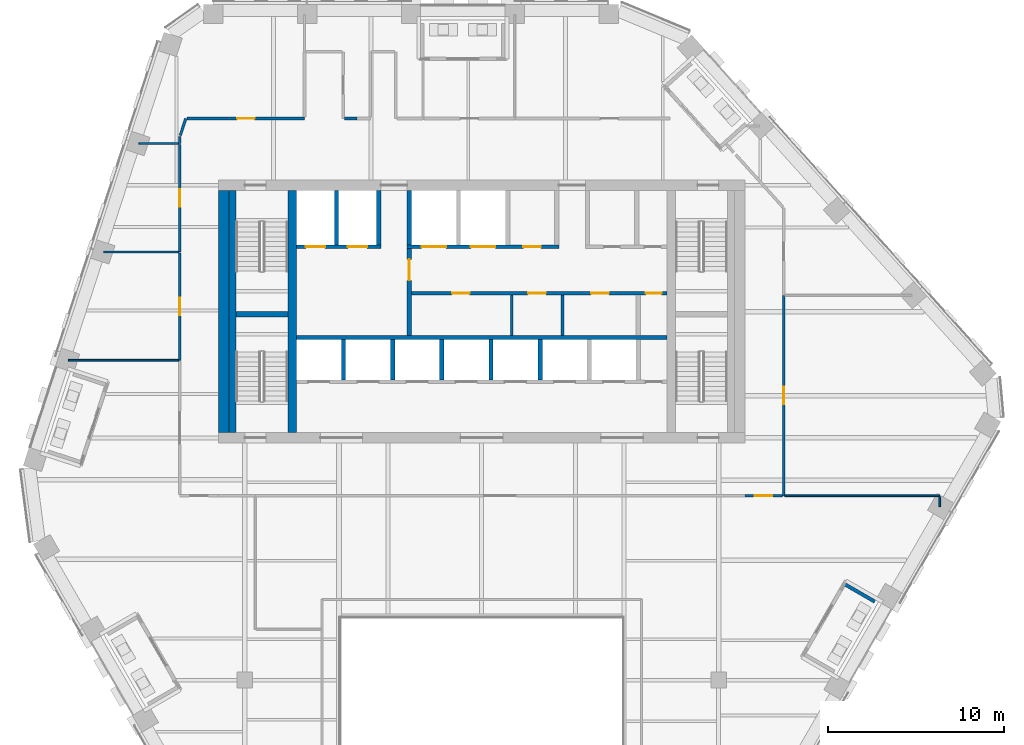
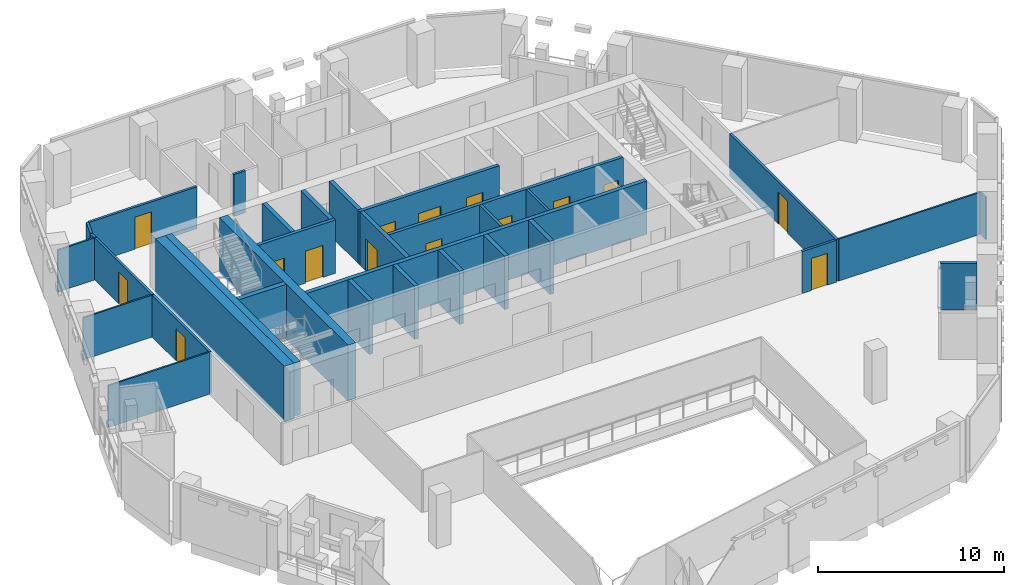
# One storey, part 16 of 24: 33 walls, 15 doors, 15 openings.
"""IFC4 building model written with IfcOpenShell, lengths in metres."""

from ifc_helpers import new_model, si_unit, direction, frame, frame_2d, origin, place, context, subcontext, project, spatial, rectangle, extrude, material, layer, layer_set, type_object, element, fill, save


model = new_model("IFC4")

# Units and contexts
model_context = context("Model", 3, precision=1e-05, world=origin(), true_north=direction((0.0, 1.0)))
body_context = subcontext(model_context, "Body", "Model", "MODEL_VIEW")
ifc_project = project(units=[si_unit("LENGTHUNIT", "METRE"), si_unit("AREAUNIT", "SQUARE_METRE"), si_unit("VOLUMEUNIT", "CUBIC_METRE"), si_unit("PLANEANGLEUNIT", "RADIAN"), si_unit("MASSUNIT", "GRAM", prefix="KILO")], contexts=[model_context])

# Site, building, storey
site_placement = place(None, origin())
site = spatial("IfcSite", under=ifc_project, at=site_placement, CompositionType="ELEMENT")
building_placement = place(site_placement, origin())
building = spatial("IfcBuilding", under=site, at=building_placement, Name="Isthmus Gate Tower", CompositionType="ELEMENT")
storey_placement = place(building_placement, frame((0.0, 0.0, 234.550048828125)))
storey = spatial("IfcBuildingStorey", under=building, at=storey_placement, Name="L59", CompositionType="ELEMENT", Elevation=234.550048828125)

# Wall, opening, door
ifc_material_1 = material(Name="Gypsum board on steel studs, fire-rated", Category="steel")
ifc_layer_1 = layer(ifc_material_1, 0.14990234375)
ifc_layer_set_1 = layer_set([ifc_layer_1], Name="CORRIDOR WALL 150 60 MIN")
wall_type_1 = type_object("IfcWallType", Name="CORRIDOR WALL 150 60 MIN", PredefinedType="PARTITIONING", material=ifc_layer_set_1)
wall_1_placement = place(storey_placement, frame((17.199951171875, 8.427978515625, 0.0), z_axis=(0.0, 0.0, 1.0), x_axis=(0.0, -1.0, 0.0)))
wall_1 = element("IfcWall", 1, at=wall_1_placement, inside=storey, type_object=wall_type_1, Name="L59 Corridor Wall 150 60 Min", PredefinedType="PARTITIONING", context=body_context, shape_type="SweptSolid", body=[
    extrude(rectangle(XDim=11.427978515625, YDim=0.14990234375, at=frame_2d((5.7138671875, 0.0))), origin(), (0.0, 0.0, 1.0), 2.750732421875),
])
opening_1_placement = place(wall_1_placement, frame((5.214111328125, 0.0, 0.0)))
opening_1 = element("IfcOpeningElement", 2, at=opening_1_placement, cuts=wall_1, Name="Opening DT-T5B-08", PredefinedType="OPENING", context=body_context, shape_type="SweptSolid", body=[
    extrude(rectangle(XDim=1.0, YDim=2.10009765625, at=frame_2d((0.5, 1.050048828125))), frame((0.0, 0.0849609375, 0.0), z_axis=(0.0, -1.0, 0.0), x_axis=(1.0, 0.0, 0.0)), (0.0, 0.0, 1.0), 0.169921875),
])
ifc_material_2 = material(Name="Solid core timber door leaf, fire-rated", Category="wood")
door_type_1 = type_object("IfcDoorType", Name="FIRE DOOR ROOM 1000 X 2100 60 MIN", OperationType="SINGLE_SWING_LEFT", PredefinedType="DOOR", material=ifc_material_2)
door_1_placement = place(opening_1_placement, origin())
door_1 = element("IfcDoor", 3, at=door_1_placement, inside=storey, type_object=door_type_1, Name="L59 room door", OperationType="SINGLE_SWING_RIGHT", OverallHeight=2.10009765625, OverallWidth=1.0, PredefinedType="DOOR", context=body_context, shape_type="SweptSolid", body=[
    extrude(rectangle(XDim=1.0, YDim=2.10009765625, at=frame_2d((0.5, 1.050048828125))), frame((0.0, 0.02490234375, 0.0), z_axis=(0.0, -1.0, 0.0), x_axis=(1.0, 0.0, 0.0)), (0.0, 0.0, 1.0), 0.050048828125),
])
fill(opening_1, door_1)

wall_2_placement = place(storey_placement, frame((17.125, -3.0, 0.0), z_axis=(0.0, 0.0, 1.0), x_axis=(-1.0, 0.0, 0.0)))
wall_2 = element("IfcWall", 4, at=wall_2_placement, inside=storey, type_object=wall_type_1, Name="L59 Corridor Wall 150 60 Min", PredefinedType="PARTITIONING", context=body_context, shape_type="SweptSolid", body=[
    extrude(rectangle(XDim=2.125, YDim=0.14990234375, at=frame_2d((1.0625, 0.0))), origin(), (0.0, 0.0, 1.0), 2.750732421875),
])
opening_2_placement = place(wall_2_placement, frame((0.5625, 0.0, 0.0)))
opening_2 = element("IfcOpeningElement", 5, at=opening_2_placement, cuts=wall_2, Name="Opening DT-T5B-12", PredefinedType="OPENING", context=body_context, shape_type="SweptSolid", body=[
    extrude(rectangle(XDim=1.0, YDim=2.10009765625, at=frame_2d((0.5, 1.050048828125))), frame((0.0, 0.0849609375, 0.0), z_axis=(0.0, -1.0, 0.0), x_axis=(1.0, 0.0, 0.0)), (0.0, 0.0, 1.0), 0.169921875),
])
door_2_placement = place(opening_2_placement, origin())
door_2 = element("IfcDoor", 6, at=door_2_placement, inside=storey, type_object=door_type_1, Name="L59 room door", OperationType="SINGLE_SWING_RIGHT", OverallHeight=2.10009765625, OverallWidth=1.0, PredefinedType="DOOR", context=body_context, shape_type="SweptSolid", body=[
    extrude(rectangle(XDim=1.0, YDim=2.10009765625, at=frame_2d((0.5, 1.050048828125))), frame((0.0, 0.02490234375, 0.0), z_axis=(0.0, -1.0, 0.0), x_axis=(1.0, 0.0, 0.0)), (0.0, 0.0, 1.0), 0.050048828125),
])
fill(opening_2, door_2)

# Walls
wall_3_placement = place(storey_placement, frame((-17.199951171875, 17.071044921875, 0.0), z_axis=(0.0, 0.0, 1.0), x_axis=(0.0, 1.0, 0.0)))
element("IfcWall", 7, at=wall_3_placement, inside=storey, type_object=wall_type_1, Name="L59 Corridor Wall 150 60 Min", PredefinedType="PARTITIONING", context=body_context, shape_type="SweptSolid", body=[
    extrude(rectangle(XDim=0.388916015625, YDim=0.14990234375, at=frame_2d((0.1943359375, 0.0))), origin(), (0.0, 0.0, 1.0), 2.750732421875),
])
wall_4_placement = place(storey_placement, frame((-17.1767578125, 17.53125, 0.0), z_axis=(0.0, 0.0, 1.0), x_axis=(0.30895599646, 0.951076333556, 0.0)))
element("IfcWall", 8, at=wall_4_placement, inside=storey, type_object=wall_type_1, Name="L59 Corridor Wall 150 60 Min", PredefinedType="PARTITIONING", context=body_context, shape_type="SweptSolid", body=[
    extrude(rectangle(XDim=1.0185546875, YDim=0.14990234375, at=frame_2d((0.50927734375, 0.0))), origin(), (0.0, 0.0, 1.0), 2.750732421875),
])

# Wall, opening, door
wall_5_placement = place(storey_placement, frame((-16.787109375, 18.5, 0.0), z_axis=(0.0, 0.0, 1.0), x_axis=(1.0, 0.0, 0.0)))
wall_5 = element("IfcWall", 9, at=wall_5_placement, inside=storey, type_object=wall_type_1, Name="L59 Corridor Wall 150 60 Min", PredefinedType="PARTITIONING", context=body_context, shape_type="SweptSolid", body=[
    extrude(rectangle(XDim=6.68701171875, YDim=0.14990234375, at=frame_2d((3.343505859375, 0.0))), origin(), (0.0, 0.0, 1.0), 2.750732421875),
])
opening_3_placement = place(wall_5_placement, frame((2.843505859375, 0.0, 0.0)))
opening_3 = element("IfcOpeningElement", 10, at=opening_3_placement, cuts=wall_5, Name="Opening DT-T5B-01", PredefinedType="OPENING", context=body_context, shape_type="SweptSolid", body=[
    extrude(rectangle(XDim=1.0, YDim=2.10009765625, at=frame_2d((0.5, 1.050048828125))), frame((0.0, 0.0849609375, 0.0), z_axis=(0.0, -1.0, 0.0), x_axis=(1.0, 0.0, 0.0)), (0.0, 0.0, 1.0), 0.169921875),
])
door_3_placement = place(opening_3_placement, origin())
door_3 = element("IfcDoor", 11, at=door_3_placement, inside=storey, type_object=door_type_1, Name="L59 room door", OperationType="SINGLE_SWING_RIGHT", OverallHeight=2.10009765625, OverallWidth=1.0, PredefinedType="DOOR", context=body_context, shape_type="SweptSolid", body=[
    extrude(rectangle(XDim=1.0, YDim=2.10009765625, at=frame_2d((0.5, 1.050048828125))), frame((0.0, 0.02490234375, 0.0), z_axis=(0.0, -1.0, 0.0), x_axis=(1.0, 0.0, 0.0)), (0.0, 0.0, 1.0), 0.050048828125),
])
fill(opening_3, door_3)

# Wall
wall_6_placement = place(storey_placement, frame((-7.824951171875, 18.5, 0.0), z_axis=(0.0, 0.0, 1.0), x_axis=(1.0, 0.0, 0.0)))
element("IfcWall", 12, at=wall_6_placement, inside=storey, type_object=wall_type_1, Name="L59 Corridor Wall 150 60 Min", PredefinedType="PARTITIONING", context=body_context, shape_type="SweptSolid", body=[
    extrude(rectangle(XDim=0.722900390625, YDim=0.14990234375, at=frame_2d((0.361328125, 0.0))), origin(), (0.0, 0.0, 1.0), 2.750732421875),
])

# Wall, opening, door
wall_7_placement = place(storey_placement, frame((-17.199951171875, 10.89697265625, 0.0), z_axis=(0.0, 0.0, 1.0), x_axis=(0.0, 1.0, 0.0)))
wall_7 = element("IfcWall", 13, at=wall_7_placement, inside=storey, type_object=wall_type_1, Name="L59 Corridor Wall 150 60 Min", PredefinedType="PARTITIONING", context=body_context, shape_type="SweptSolid", body=[
    extrude(rectangle(XDim=6.1240234375, YDim=0.14990234375, at=frame_2d((3.06201171875, 0.0))), origin(), (0.0, 0.0, 1.0), 2.750732421875),
])
opening_4_placement = place(wall_7_placement, frame((2.56201171875, 0.0, 0.0)))
opening_4 = element("IfcOpeningElement", 14, at=opening_4_placement, cuts=wall_7, Name="Opening DT-T5B-05", PredefinedType="OPENING", context=body_context, shape_type="SweptSolid", body=[
    extrude(rectangle(XDim=1.0, YDim=2.10009765625, at=frame_2d((0.5, 1.050048828125))), frame((0.0, 0.0849609375, 0.0), z_axis=(0.0, -1.0, 0.0), x_axis=(1.0, 0.0, 0.0)), (0.0, 0.0, 1.0), 0.169921875),
])
door_4_placement = place(opening_4_placement, origin())
door_4 = element("IfcDoor", 15, at=door_4_placement, inside=storey, type_object=door_type_1, Name="L59 room door", OperationType="SINGLE_SWING_RIGHT", OverallHeight=2.10009765625, OverallWidth=1.0, PredefinedType="DOOR", context=body_context, shape_type="SweptSolid", body=[
    extrude(rectangle(XDim=1.0, YDim=2.10009765625, at=frame_2d((0.5, 1.050048828125))), frame((0.0, 0.02490234375, 0.0), z_axis=(0.0, -1.0, 0.0), x_axis=(1.0, 0.0, 0.0)), (0.0, 0.0, 1.0), 0.050048828125),
])
fill(opening_4, door_4)

wall_8_placement = place(storey_placement, frame((-17.199951171875, 4.722900390625, 0.0), z_axis=(0.0, 0.0, 1.0), x_axis=(0.0, 1.0, 0.0)))
wall_8 = element("IfcWall", 16, at=wall_8_placement, inside=storey, type_object=wall_type_1, Name="L59 Corridor Wall 150 60 Min", PredefinedType="PARTITIONING", context=body_context, shape_type="SweptSolid", body=[
    extrude(rectangle(XDim=6.1240234375, YDim=0.14990234375, at=frame_2d((3.06201171875, 0.0))), origin(), (0.0, 0.0, 1.0), 2.750732421875),
])
opening_5_placement = place(wall_8_placement, frame((2.56201171875, 0.0, 0.0)))
opening_5 = element("IfcOpeningElement", 17, at=opening_5_placement, cuts=wall_8, Name="Opening DT-T5B-07", PredefinedType="OPENING", context=body_context, shape_type="SweptSolid", body=[
    extrude(rectangle(XDim=1.0, YDim=2.10009765625, at=frame_2d((0.5, 1.050048828125))), frame((0.0, 0.0849609375, 0.0), z_axis=(0.0, -1.0, 0.0), x_axis=(1.0, 0.0, 0.0)), (0.0, 0.0, 1.0), 0.169921875),
])
door_5_placement = place(opening_5_placement, origin())
door_5 = element("IfcDoor", 18, at=door_5_placement, inside=storey, type_object=door_type_1, Name="L59 room door", OperationType="SINGLE_SWING_RIGHT", OverallHeight=2.10009765625, OverallWidth=1.0, PredefinedType="DOOR", context=body_context, shape_type="SweptSolid", body=[
    extrude(rectangle(XDim=1.0, YDim=2.10009765625, at=frame_2d((0.5, 1.050048828125))), frame((0.0, 0.02490234375, 0.0), z_axis=(0.0, -1.0, 0.0), x_axis=(1.0, 0.0, 0.0)), (0.0, 0.0, 1.0), 0.050048828125),
])
fill(opening_5, door_5)

ifc_material_3 = material(Name="Fire-rated blockwork masonry, 15 MPa", Category="masonry")
ifc_layer_2 = layer(ifc_material_3, 0.25)
ifc_layer_set_2 = layer_set([ifc_layer_2], Name="FIRE-FIGHTING LOBBY WALL 250 90 MIN")
wall_type_2 = type_object("IfcWallType", Name="FIRE-FIGHTING LOBBY WALL 250 90 MIN", PredefinedType="PARTITIONING", material=ifc_layer_set_2)
wall_9_placement = place(storey_placement, frame((-4.125, 6.14990234375, 0.0), z_axis=(0.0, 0.0, 1.0), x_axis=(0.0, 1.0, 0.0)))
wall_9 = element("IfcWall", 19, at=wall_9_placement, inside=storey, type_object=wall_type_2, Name="L59 FIRE-FIGHTING LOBBY WALL 250 90 MIN", PredefinedType="PARTITIONING", context=body_context, shape_type="SweptSolid", body=[
    extrude(rectangle(XDim=4.9501953125, YDim=0.25, at=frame_2d((2.47509765625, 0.0))), origin(), (0.0, 0.0, 1.0), 3.5),
])
opening_6_placement = place(wall_9_placement, frame((3.125, 0.0, 0.0)))
opening_6 = element("IfcOpeningElement", 20, at=opening_6_placement, cuts=wall_9, Name="Opening DC-A17-01", PredefinedType="OPENING", context=body_context, shape_type="SweptSolid", body=[
    extrude(rectangle(XDim=1.199951171875, YDim=2.10009765625, at=frame_2d((0.60009765625, 1.050048828125))), frame((0.0, 0.135009765625, 0.0), z_axis=(0.0, -1.0, 0.0), x_axis=(1.0, 0.0, 0.0)), (0.0, 0.0, 1.0), 0.27001953125),
])
ifc_material_4 = material(Name="Steel door leaf, fire-rated", Category="steel")
door_type_2 = type_object("IfcDoorType", Name="LOBBY FIRE DOOR 1200 X 2100 90 MIN", OperationType="DOUBLE_DOOR_SINGLE_SWING", PredefinedType="DOOR", material=ifc_material_4)
door_6_placement = place(opening_6_placement, origin())
door_6 = element("IfcDoor", 21, at=door_6_placement, inside=storey, type_object=door_type_2, Name="Fire-fighting Lobby Door", OperationType="SINGLE_SWING_LEFT", OverallHeight=2.10009765625, OverallWidth=1.199951171875, PredefinedType="DOOR", context=body_context, shape_type="SweptSolid", body=[
    extrude(rectangle(XDim=1.199951171875, YDim=2.10009765625, at=frame_2d((0.60009765625, 1.050048828125))), frame((0.0, 0.02490234375, 0.0), z_axis=(0.0, -1.0, 0.0), x_axis=(1.0, 0.0, 0.0)), (0.0, 0.0, 1.0), 0.050048828125),
])
fill(opening_6, door_6)

# Walls
ifc_material_5 = material(Name="Precast concrete C40/50", Category="concrete")
ifc_layer_3 = layer(ifc_material_5, 0.199951171875)
ifc_layer_set_3 = layer_set([ifc_layer_3], Name="LOGGIA WALL 200")
wall_type_3 = type_object("IfcWallType", Name="LOGGIA WALL 200", PredefinedType="SOLIDWALL", material=ifc_layer_set_3)
wall_10_placement = place(storey_placement, frame((22.387939453125, -9.022705078125, 0.0), z_axis=(0.0, 0.0, 1.0), x_axis=(-0.866015483535, 0.500017181982, 0.0)))
element("IfcWall", 22, at=wall_10_placement, inside=storey, type_object=wall_type_3, Name="LOGGIA SIDE WALL", PredefinedType="SOLIDWALL", context=body_context, shape_type="SweptSolid", body=[
    extrude(rectangle(XDim=1.98388671875, YDim=0.199951171875, at=frame_2d((0.991943359375, 0.0))), origin(), (0.0, 0.0, 1.0), 3.050048828125),
])
ifc_material_6 = material(Name="Concrete f'c 50 MPa", Category="concrete")
ifc_layer_4 = layer(ifc_material_6, 0.5)
ifc_layer_set_4 = layer_set([ifc_layer_4], Name="RC CORE SPINE WALL 500 F'C 50")
wall_type_4 = type_object("IfcWallType", Name="RC CORE SPINE WALL 500 F'C 50", PredefinedType="SOLIDWALL", material=ifc_layer_set_4)
wall_11_placement = place(storey_placement, frame((-10.800048828125, 0.60009765625, -0.150146484375), z_axis=(0.0, 0.0, 1.0), x_axis=(0.0, 1.0, 0.0)))
element("IfcWall", 23, at=wall_11_placement, inside=storey, type_object=wall_type_4, Name="str-corewall-L59-SPW", PredefinedType="SOLIDWALL", context=body_context, shape_type="SweptSolid", body=[
    extrude(rectangle(XDim=13.7998046875, YDim=0.5, at=frame_2d((6.89990234375, 0.0))), origin(), (0.0, 0.0, 1.0), 3.650146484375),
])
ifc_material_7 = material(Name="Concrete f'c 50 MPa", Category="concrete")
ifc_layer_5 = layer(ifc_material_7, 0.60009765625)
ifc_layer_set_5 = layer_set([ifc_layer_5], Name="RC CORE WALL 600 F'C 50")
wall_type_5 = type_object("IfcWallType", Name="RC CORE WALL 600 F'C 50", PredefinedType="SOLIDWALL", material=ifc_layer_set_5)
wall_12_placement = place(storey_placement, frame((-14.699951171875, 0.60009765625, -0.150146484375), z_axis=(0.0, 0.0, 1.0), x_axis=(0.0, 1.0, 0.0)))
element("IfcWall", 24, at=wall_12_placement, inside=storey, type_object=wall_type_5, Name="str-corewall-L59-W", PredefinedType="SOLIDWALL", context=body_context, shape_type="SweptSolid", body=[
    extrude(rectangle(XDim=13.7998046875, YDim=0.60009765625, at=frame_2d((6.89990234375, 0.0))), origin(), (0.0, 0.0, 1.0), 3.650146484375),
])
ifc_material_8 = material(Name="Gypsum board on steel studs, fire-rated", Category="steel")
ifc_layer_6 = layer(ifc_material_8, 0.10009765625)
ifc_layer_set_6 = layer_set([ifc_layer_6], Name="ROOM PARTITION 100 30 MIN")
wall_type_6 = type_object("IfcWallType", Name="ROOM PARTITION 100 30 MIN", PredefinedType="PARTITIONING", material=ifc_layer_set_6)
wall_13_placement = place(storey_placement, frame((-19.534912109375, 17.071044921875, 0.0), z_axis=(0.0, 0.0, 1.0), x_axis=(1.0, 0.0, 0.0)))
element("IfcWall", 25, at=wall_13_placement, inside=storey, type_object=wall_type_6, Name="L59 Room Partition 100 30 Min", PredefinedType="PARTITIONING", context=body_context, shape_type="SweptSolid", body=[
    extrude(rectangle(XDim=2.260009765625, YDim=0.10009765625, at=frame_2d((1.1298828125, 0.0))), origin(), (0.0, 0.0, 1.0), 2.750732421875),
])
wall_14_placement = place(storey_placement, frame((-21.541015625, 10.89697265625, 0.0), z_axis=(0.0, 0.0, 1.0), x_axis=(1.0, 0.0, 0.0)))
element("IfcWall", 26, at=wall_14_placement, inside=storey, type_object=wall_type_6, Name="L59 Room Partition 100 30 Min", PredefinedType="PARTITIONING", context=body_context, shape_type="SweptSolid", body=[
    extrude(rectangle(XDim=4.26611328125, YDim=0.10009765625, at=frame_2d((2.133056640625, 0.0))), origin(), (0.0, 0.0, 1.0), 2.750732421875),
])
wall_15_placement = place(storey_placement, frame((-23.547119140625, 4.722900390625, 0.0), z_axis=(0.0, 0.0, 1.0), x_axis=(1.0, 0.0, 0.0)))
element("IfcWall", 27, at=wall_15_placement, inside=storey, type_object=wall_type_6, Name="L59 Room Partition 100 30 Min", PredefinedType="PARTITIONING", context=body_context, shape_type="SweptSolid", body=[
    extrude(rectangle(XDim=6.272216796875, YDim=0.10009765625, at=frame_2d((3.13623046875, 0.0))), origin(), (0.0, 0.0, 1.0), 2.750732421875),
])
wall_16_placement = place(storey_placement, frame((17.27490234375, -3.0, 0.0), z_axis=(0.0, 0.0, 1.0), x_axis=(0.999999975449, 0.000221588228, 0.0)))
element("IfcWall", 28, at=wall_16_placement, inside=storey, type_object=wall_type_6, Name="L59 Room Partition 100 30 Min", PredefinedType="PARTITIONING", context=body_context, shape_type="SweptSolid", body=[
    extrude(rectangle(XDim=8.814208984375, YDim=0.10009765625, at=frame_2d((4.4072265625, 0.0))), origin(), (0.0, 0.0, 1.0), 2.750732421875),
])
wall_17_placement = place(storey_placement, frame((26.089111328125, -3.613037109375, 0.0), z_axis=(0.0, 0.0, 1.0), x_axis=(0.0, 1.0, 0.0)))
element("IfcWall", 29, at=wall_17_placement, inside=storey, type_object=wall_type_6, Name="L59 Room Partition 100 30 Min", PredefinedType="PARTITIONING", context=body_context, shape_type="SweptSolid", body=[
    extrude(rectangle(XDim=0.56494140625, YDim=0.10009765625, at=frame_2d((0.282470703125, 0.0))), origin(), (0.0, 0.0, 1.0), 2.750732421875),
])
ifc_material_9 = material(Name="Gypsum board on steel studs, fire-rated", Category="steel")
ifc_layer_7 = layer(ifc_material_9, 0.14990234375)
ifc_layer_set_7 = layer_set([ifc_layer_7], Name="ROOM PARTITION 150 60 MIN")
wall_type_7 = type_object("IfcWallType", Name="ROOM PARTITION 150 60 MIN", PredefinedType="PARTITIONING", material=ifc_layer_set_7)
for number, where, z_axis, x_axis, name in (
    (30, (1.699951171875, 6.14990234375, 0.0), (0.0, 0.0, 1.0), (0.0, 1.0, 0.0), "L59 ROOM PARTITION 150 60 MIN"),
    (31, (4.60009765625, 6.14990234375, 0.0), (0.0, 0.0, 1.0), (0.0, 1.0, 0.0), "L59 ROOM PARTITION 150 60 MIN"),
):
    element("IfcWall", number, at=place(storey_placement, frame(where, z_axis=z_axis, x_axis=x_axis)), inside=storey, type_object=wall_type_7, Name=name, PredefinedType="PARTITIONING", context=body_context, shape_type="SweptSolid", body=[
        extrude(rectangle(XDim=2.300048828125, YDim=0.14990234375, at=frame_2d((1.14990234375, 0.0))), origin(), (0.0, 0.0, 1.0), 3.5),
    ])

# Wall, openings, doors
ifc_material_10 = material(Name="Fire-rated blockwork masonry, 15 MPa", Category="masonry")
ifc_layer_8 = layer(ifc_material_10, 0.199951171875)
ifc_layer_set_8 = layer_set([ifc_layer_8], Name="SHAFT FRONT WALL 200 120 MIN")
wall_type_8 = type_object("IfcWallType", Name="SHAFT FRONT WALL 200 120 MIN", PredefinedType="PARTITIONING", material=ifc_layer_set_8)
wall_18_placement = place(storey_placement, frame((-4.125, 8.550048828125, 0.0), z_axis=(0.0, 0.0, 1.0), x_axis=(1.0, 0.0, 0.0)))
wall_18 = element("IfcWall", 32, at=wall_18_placement, inside=storey, type_object=wall_type_8, Name="L59 SHAFT FRONT WALL 200 120 MIN", PredefinedType="PARTITIONING", context=body_context, shape_type="SweptSolid", body=[
    extrude(rectangle(XDim=14.675048828125, YDim=0.199951171875, at=frame_2d((7.33740234375, 0.0))), origin(), (0.0, 0.0, 1.0), 3.5),
])
opening_7_placement = place(wall_18_placement, frame((2.4375, 0.0, 0.0)))
opening_7 = element("IfcOpeningElement", 33, at=opening_7_placement, cuts=wall_18, Name="Opening DC-A17-03", PredefinedType="OPENING", context=body_context, shape_type="SweptSolid", body=[
    extrude(rectangle(XDim=1.0, YDim=2.10009765625, at=frame_2d((0.5, 1.050048828125))), frame((0.0, 0.10986328125, 0.0), z_axis=(0.0, -1.0, 0.0), x_axis=(1.0, 0.0, 0.0)), (0.0, 0.0, 1.0), 0.219970703125),
])
opening_8_placement = place(wall_18_placement, frame((6.77490234375, 0.0, 0.0)))
opening_8 = element("IfcOpeningElement", 34, at=opening_8_placement, cuts=wall_18, Name="Opening DC-A17-04", PredefinedType="OPENING", context=body_context, shape_type="SweptSolid", body=[
    extrude(rectangle(XDim=1.0, YDim=2.10009765625, at=frame_2d((0.5, 1.050048828125))), frame((0.0, 0.10986328125, 0.0), z_axis=(0.0, -1.0, 0.0), x_axis=(1.0, 0.0, 0.0)), (0.0, 0.0, 1.0), 0.219970703125),
])
opening_9_placement = place(wall_18_placement, frame((10.362548828125, 0.0, 0.0)))
opening_9 = element("IfcOpeningElement", 35, at=opening_9_placement, cuts=wall_18, Name="Opening DC-A17-05", PredefinedType="OPENING", context=body_context, shape_type="SweptSolid", body=[
    extrude(rectangle(XDim=1.0, YDim=2.10009765625, at=frame_2d((0.5, 1.050048828125))), frame((0.0, 0.10986328125, 0.0), z_axis=(0.0, -1.0, 0.0), x_axis=(1.0, 0.0, 0.0)), (0.0, 0.0, 1.0), 0.219970703125),
])
opening_10_placement = place(wall_18_placement, frame((13.47509765625, 0.0, 0.0)))
opening_10 = element("IfcOpeningElement", 36, at=opening_10_placement, cuts=wall_18, Name="Opening DC-A17-06", PredefinedType="OPENING", context=body_context, shape_type="SweptSolid", body=[
    extrude(rectangle(XDim=0.89990234375, YDim=2.10009765625, at=frame_2d((0.449951171875, 1.050048828125))), frame((0.0, 0.10986328125, 0.0), z_axis=(0.0, -1.0, 0.0), x_axis=(1.0, 0.0, 0.0)), (0.0, 0.0, 1.0), 0.219970703125),
])
ifc_material_11 = material(Name="Steel door leaf, fire-rated", Category="steel")
door_type_3 = type_object("IfcDoorType", Name="FIRE DOOR 1000 X 2100 60 MIN", OperationType="SINGLE_SWING_LEFT", PredefinedType="DOOR", material=ifc_material_11)
door_7_placement = place(opening_7_placement, origin())
door_7 = element("IfcDoor", 37, at=door_7_placement, inside=storey, type_object=door_type_3, Name="WC Men Door", OperationType="SINGLE_SWING_LEFT", OverallHeight=2.10009765625, OverallWidth=1.0, PredefinedType="DOOR", context=body_context, shape_type="SweptSolid", body=[
    extrude(rectangle(XDim=1.0, YDim=2.10009765625, at=frame_2d((0.5, 1.050048828125))), frame((0.0, 0.02490234375, 0.0), z_axis=(0.0, -1.0, 0.0), x_axis=(1.0, 0.0, 0.0)), (0.0, 0.0, 1.0), 0.050048828125),
])
fill(opening_7, door_7)
door_8_placement = place(opening_8_placement, origin())
door_8 = element("IfcDoor", 38, at=door_8_placement, inside=storey, type_object=door_type_3, Name="Accessible WC Door", OperationType="SINGLE_SWING_RIGHT", OverallHeight=2.10009765625, OverallWidth=1.0, PredefinedType="DOOR", context=body_context, shape_type="SweptSolid", body=[
    extrude(rectangle(XDim=1.0, YDim=2.10009765625, at=frame_2d((0.5, 1.050048828125))), frame((0.0, 0.02490234375, 0.0), z_axis=(0.0, -1.0, 0.0), x_axis=(1.0, 0.0, 0.0)), (0.0, 0.0, 1.0), 0.050048828125),
])
fill(opening_8, door_8)
door_9_placement = place(opening_9_placement, origin())
door_9 = element("IfcDoor", 39, at=door_9_placement, inside=storey, type_object=door_type_3, Name="WC Women Door", OperationType="SINGLE_SWING_LEFT", OverallHeight=2.10009765625, OverallWidth=1.0, PredefinedType="DOOR", context=body_context, shape_type="SweptSolid", body=[
    extrude(rectangle(XDim=1.0, YDim=2.10009765625, at=frame_2d((0.5, 1.050048828125))), frame((0.0, 0.02490234375, 0.0), z_axis=(0.0, -1.0, 0.0), x_axis=(1.0, 0.0, 0.0)), (0.0, 0.0, 1.0), 0.050048828125),
])
fill(opening_9, door_9)
ifc_material_12 = material(Name="Steel door leaf, fire-rated", Category="steel")
door_type_4 = type_object("IfcDoorType", Name="RISER FIRE DOOR 900 X 2100 90 MIN", OperationType="SINGLE_SWING_LEFT", PredefinedType="DOOR", material=ifc_material_12)
door_10_placement = place(opening_10_placement, origin())
door_10 = element("IfcDoor", 40, at=door_10_placement, inside=storey, type_object=door_type_4, Name="Riser Door", OperationType="SINGLE_SWING_RIGHT", OverallHeight=2.10009765625, OverallWidth=0.89990234375, PredefinedType="DOOR", context=body_context, shape_type="SweptSolid", body=[
    extrude(rectangle(XDim=0.89990234375, YDim=2.10009765625, at=frame_2d((0.449951171875, 1.050048828125))), frame((0.0, 0.02490234375, 0.0), z_axis=(0.0, -1.0, 0.0), x_axis=(1.0, 0.0, 0.0)), (0.0, 0.0, 1.0), 0.050048828125),
])
fill(opening_10, door_10)

wall_19_placement = place(storey_placement, frame((-10.550048828125, 11.199951171875, 0.0), z_axis=(0.0, 0.0, 1.0), x_axis=(1.0, 0.0, 0.0)))
wall_19 = element("IfcWall", 41, at=wall_19_placement, inside=storey, type_object=wall_type_8, Name="L59 SHAFT FRONT WALL 200 120 MIN", PredefinedType="PARTITIONING", context=body_context, shape_type="SweptSolid", body=[
    extrude(rectangle(XDim=4.800048828125, YDim=0.199951171875, at=frame_2d((2.39990234375, 0.0))), origin(), (0.0, 0.0, 1.0), 3.5),
])
opening_11_placement = place(wall_19_placement, frame((0.52490234375, 0.0, 0.0)))
opening_11 = element("IfcOpeningElement", 42, at=opening_11_placement, cuts=wall_19, Name="Opening LD-LF1", PredefinedType="OPENING", context=body_context, shape_type="SweptSolid", body=[
    extrude(rectangle(XDim=1.10009765625, YDim=2.10009765625, at=frame_2d((0.550048828125, 1.050048828125))), frame((0.0, 0.10986328125, 0.0), z_axis=(0.0, -1.0, 0.0), x_axis=(1.0, 0.0, 0.0)), (0.0, 0.0, 1.0), 0.219970703125),
])
opening_12_placement = place(wall_19_placement, frame((2.925048828125, 0.0, 0.0)))
opening_12 = element("IfcOpeningElement", 43, at=opening_12_placement, cuts=wall_19, Name="Opening LD-LF2", PredefinedType="OPENING", context=body_context, shape_type="SweptSolid", body=[
    extrude(rectangle(XDim=1.10009765625, YDim=2.10009765625, at=frame_2d((0.550048828125, 1.050048828125))), frame((0.0, 0.10986328125, 0.0), z_axis=(0.0, -1.0, 0.0), x_axis=(1.0, 0.0, 0.0)), (0.0, 0.0, 1.0), 0.219970703125),
])
ifc_material_13 = material(Name="Stainless steel sliding leaf", Category="steel")
door_type_5 = type_object("IfcDoorType", Name="LIFT LANDING FIRE DOOR 1100 X 2100 90 MIN", OperationType="DOUBLE_DOOR_SLIDING", PredefinedType="DOOR", material=ifc_material_13)
door_11_placement = place(opening_11_placement, origin())
door_11 = element("IfcDoor", 44, at=door_11_placement, inside=storey, type_object=door_type_5, Name="Lift Landing Door LF1", OperationType="DOUBLE_DOOR_SLIDING", OverallHeight=2.10009765625, OverallWidth=1.10009765625, PredefinedType="DOOR", context=body_context, shape_type="SweptSolid", body=[
    extrude(rectangle(XDim=1.10009765625, YDim=2.10009765625, at=frame_2d((0.550048828125, 1.050048828125))), frame((0.0, 0.02490234375, 0.0), z_axis=(0.0, -1.0, 0.0), x_axis=(1.0, 0.0, 0.0)), (0.0, 0.0, 1.0), 0.050048828125),
])
fill(opening_11, door_11)
door_12_placement = place(opening_12_placement, origin())
door_12 = element("IfcDoor", 45, at=door_12_placement, inside=storey, type_object=door_type_5, Name="Lift Landing Door LF2", OperationType="DOUBLE_DOOR_SLIDING", OverallHeight=2.10009765625, OverallWidth=1.10009765625, PredefinedType="DOOR", context=body_context, shape_type="SweptSolid", body=[
    extrude(rectangle(XDim=1.10009765625, YDim=2.10009765625, at=frame_2d((0.550048828125, 1.050048828125))), frame((0.0, 0.02490234375, 0.0), z_axis=(0.0, -1.0, 0.0), x_axis=(1.0, 0.0, 0.0)), (0.0, 0.0, 1.0), 0.050048828125),
])
fill(opening_12, door_12)

wall_20_placement = place(storey_placement, frame((-4.25, 11.199951171875, 0.0), z_axis=(0.0, 0.0, 1.0), x_axis=(1.0, 0.0, 0.0)))
wall_20 = element("IfcWall", 46, at=wall_20_placement, inside=storey, type_object=wall_type_8, Name="L59 SHAFT FRONT WALL 200 120 MIN", PredefinedType="PARTITIONING", context=body_context, shape_type="SweptSolid", body=[
    extrude(rectangle(XDim=8.64990234375, YDim=0.199951171875, at=frame_2d((4.324951171875, 0.0))), origin(), (0.0, 0.0, 1.0), 3.5),
])
opening_13_placement = place(wall_20_placement, frame((0.824951171875, 0.0, 0.0)))
opening_13 = element("IfcOpeningElement", 47, at=opening_13_placement, cuts=wall_20, Name="Opening LD-LV1", PredefinedType="OPENING", context=body_context, shape_type="SweptSolid", body=[
    extrude(rectangle(XDim=1.39990234375, YDim=2.10009765625, at=frame_2d((0.699951171875, 1.050048828125))), frame((0.0, 0.10986328125, 0.0), z_axis=(0.0, -1.0, 0.0), x_axis=(1.0, 0.0, 0.0)), (0.0, 0.0, 1.0), 0.219970703125),
])
opening_14_placement = place(wall_20_placement, frame((3.625, 0.0, 0.0)))
opening_14 = element("IfcOpeningElement", 48, at=opening_14_placement, cuts=wall_20, Name="Opening LD-LV2", PredefinedType="OPENING", context=body_context, shape_type="SweptSolid", body=[
    extrude(rectangle(XDim=1.39990234375, YDim=2.10009765625, at=frame_2d((0.699951171875, 1.050048828125))), frame((0.0, 0.10986328125, 0.0), z_axis=(0.0, -1.0, 0.0), x_axis=(1.0, 0.0, 0.0)), (0.0, 0.0, 1.0), 0.219970703125),
])
opening_15_placement = place(wall_20_placement, frame((6.625, 0.0, 0.0)))
opening_15 = element("IfcOpeningElement", 49, at=opening_15_placement, cuts=wall_20, Name="Opening DC-A17-07", PredefinedType="OPENING", context=body_context, shape_type="SweptSolid", body=[
    extrude(rectangle(XDim=1.0, YDim=2.10009765625, at=frame_2d((0.5, 1.050048828125))), frame((0.0, 0.10986328125, 0.0), z_axis=(0.0, -1.0, 0.0), x_axis=(1.0, 0.0, 0.0)), (0.0, 0.0, 1.0), 0.219970703125),
])
door_13_placement = place(opening_15_placement, origin())
door_13 = element("IfcDoor", 50, at=door_13_placement, inside=storey, type_object=door_type_3, Name="Pantry Door", OperationType="SINGLE_SWING_LEFT", OverallHeight=2.10009765625, OverallWidth=1.0, PredefinedType="DOOR", context=body_context, shape_type="SweptSolid", body=[
    extrude(rectangle(XDim=1.0, YDim=2.10009765625, at=frame_2d((0.5, 1.050048828125))), frame((0.0, 0.02490234375, 0.0), z_axis=(0.0, -1.0, 0.0), x_axis=(1.0, 0.0, 0.0)), (0.0, 0.0, 1.0), 0.050048828125),
])
fill(opening_15, door_13)
ifc_material_14 = material(Name="Stainless steel sliding leaf", Category="steel")
door_type_6 = type_object("IfcDoorType", Name="LIFT LANDING FIRE DOOR 1400 X 2100 90 MIN", OperationType="DOUBLE_DOOR_SLIDING", PredefinedType="DOOR", material=ifc_material_14)
door_14_placement = place(opening_13_placement, origin())
door_14 = element("IfcDoor", 51, at=door_14_placement, inside=storey, type_object=door_type_6, Name="Lift Landing Door LV1", OperationType="DOUBLE_DOOR_SLIDING", OverallHeight=2.10009765625, OverallWidth=1.39990234375, PredefinedType="DOOR", context=body_context, shape_type="SweptSolid", body=[
    extrude(rectangle(XDim=1.39990234375, YDim=2.10009765625, at=frame_2d((0.699951171875, 1.050048828125))), frame((0.0, 0.02490234375, 0.0), z_axis=(0.0, -1.0, 0.0), x_axis=(1.0, 0.0, 0.0)), (0.0, 0.0, 1.0), 0.050048828125),
])
fill(opening_13, door_14)
door_15_placement = place(opening_14_placement, origin())
door_15 = element("IfcDoor", 52, at=door_15_placement, inside=storey, type_object=door_type_6, Name="Lift Landing Door LV2", OperationType="DOUBLE_DOOR_SLIDING", OverallHeight=2.10009765625, OverallWidth=1.39990234375, PredefinedType="DOOR", context=body_context, shape_type="SweptSolid", body=[
    extrude(rectangle(XDim=1.39990234375, YDim=2.10009765625, at=frame_2d((0.699951171875, 1.050048828125))), frame((0.0, 0.02490234375, 0.0), z_axis=(0.0, -1.0, 0.0), x_axis=(1.0, 0.0, 0.0)), (0.0, 0.0, 1.0), 0.050048828125),
])
fill(opening_14, door_15)

# Walls
ifc_material_15 = material(Name="Fire-rated blockwork masonry, 15 MPa", Category="masonry")
ifc_layer_9 = layer(ifc_material_15, 0.25)
ifc_layer_set_9 = layer_set([ifc_layer_9], Name="SHAFT WALL 250 120 MIN")
wall_type_9 = type_object("IfcWallType", Name="SHAFT WALL 250 120 MIN", PredefinedType="PARTITIONING", material=ifc_layer_set_9)
wall_21_placement = place(storey_placement, frame((-10.550048828125, 6.02490234375, 0.0), z_axis=(0.0, 0.0, 1.0), x_axis=(1.0, 0.0, 0.0)))
element("IfcWall", 53, at=wall_21_placement, inside=storey, type_object=wall_type_9, Name="L59 SHAFT WALL 250 120 MIN", PredefinedType="PARTITIONING", context=body_context, shape_type="SweptSolid", body=[
    extrude(rectangle(XDim=21.10009765625, YDim=0.25, at=frame_2d((10.550048828125, 0.0))), origin(), (0.0, 0.0, 1.0), 3.5),
])
for number, where, z_axis, x_axis, name in (
    (54, (-7.875, 3.60009765625, 0.0), (0.0, 0.0, 1.0), (0.0, 1.0, 0.0), "L59 SHAFT WALL 250 120 MIN"),
    (55, (-5.074951171875, 3.60009765625, 0.0), (0.0, 0.0, 1.0), (0.0, 1.0, 0.0), "L59 SHAFT WALL 250 120 MIN"),
    (56, (-2.27490234375, 3.60009765625, 0.0), (0.0, 0.0, 1.0), (0.0, 1.0, 0.0), "L59 SHAFT WALL 250 120 MIN"),
    (57, (0.52490234375, 3.60009765625, 0.0), (0.0, 0.0, 1.0), (0.0, 1.0, 0.0), "L59 SHAFT WALL 250 120 MIN"),
    (58, (3.324951171875, 3.60009765625, 0.0), (0.0, 0.0, 1.0), (0.0, 1.0, 0.0), "L59 SHAFT WALL 250 120 MIN"),
):
    element("IfcWall", number, at=place(storey_placement, frame(where, z_axis=z_axis, x_axis=x_axis)), inside=storey, type_object=wall_type_9, Name=name, PredefinedType="PARTITIONING", context=body_context, shape_type="SweptSolid", body=[
        extrude(rectangle(XDim=2.2998046875, YDim=0.25, at=frame_2d((1.14990234375, 0.0))), origin(), (0.0, 0.0, 1.0), 3.5),
    ])
for number, where, z_axis, x_axis, name in (
    (59, (-8.27490234375, 11.300048828125, 0.0), (0.0, 0.0, 1.0), (0.0, 1.0, 0.0), "L59 SHAFT WALL 250 120 MIN"),
    (60, (-5.875, 11.300048828125, 0.0), (0.0, 0.0, 1.0), (0.0, 1.0, 0.0), "L59 SHAFT WALL 250 120 MIN"),
    (61, (-4.125, 11.300048828125, 0.0), (0.0, 0.0, 1.0), (0.0, 1.0, 0.0), "L59 SHAFT WALL 250 120 MIN"),
):
    element("IfcWall", number, at=place(storey_placement, frame(where, z_axis=z_axis, x_axis=x_axis)), inside=storey, type_object=wall_type_9, Name=name, PredefinedType="PARTITIONING", context=body_context, shape_type="SweptSolid", body=[
        extrude(rectangle(XDim=3.099853515625, YDim=0.25, at=frame_2d((1.5498046875, 0.0))), origin(), (0.0, 0.0, 1.0), 3.5),
    ])
ifc_material_16 = material(Name="Concrete f'c 40 MPa", Category="concrete")
ifc_layer_10 = layer(ifc_material_16, 0.300048828125)
ifc_layer_set_10 = layer_set([ifc_layer_10], Name="STAIR ENCLOSURE WALL 300 180 MIN")
wall_type_10 = type_object("IfcWallType", Name="STAIR ENCLOSURE WALL 300 180 MIN", PredefinedType="SOLIDWALL", material=ifc_layer_set_10)
wall_22_placement = place(storey_placement, frame((-14.0, 7.35009765625, 0.0), z_axis=(0.0, 0.0, 1.0), x_axis=(1.0, 0.0, 0.0)))
element("IfcWall", 62, at=wall_22_placement, inside=storey, type_object=wall_type_10, Name="L59 STAIR ENCLOSURE WALL 300 180 MIN", PredefinedType="SOLIDWALL", context=body_context, shape_type="SweptSolid", body=[
    extrude(rectangle(XDim=2.949951171875, YDim=0.300048828125, at=frame_2d((1.47509765625, 0.0))), origin(), (0.0, 0.0, 1.0), 3.5),
])
ifc_material_17 = material(Name="Concrete f'c 40 MPa", Category="concrete")
ifc_layer_11 = layer(ifc_material_17, 0.39990234375)
ifc_layer_set_11 = layer_set([ifc_layer_11], Name="STAIR ENCLOSURE WALL 400 180 MIN")
wall_type_11 = type_object("IfcWallType", Name="STAIR ENCLOSURE WALL 400 180 MIN", PredefinedType="SOLIDWALL", material=ifc_layer_set_11)
wall_23_placement = place(storey_placement, frame((-14.199951171875, 0.60009765625, 0.0), z_axis=(0.0, 0.0, 1.0), x_axis=(0.0, 1.0, 0.0)))
element("IfcWall", 63, at=wall_23_placement, inside=storey, type_object=wall_type_11, Name="L59 STAIR ENCLOSURE WALL 400 180 MIN", PredefinedType="SOLIDWALL", context=body_context, shape_type="SweptSolid", body=[
    extrude(rectangle(XDim=13.7998046875, YDim=0.39990234375, at=frame_2d((6.89990234375, 0.0))), origin(), (0.0, 0.0, 1.0), 3.5),
])

save(model, "model.ifc")
